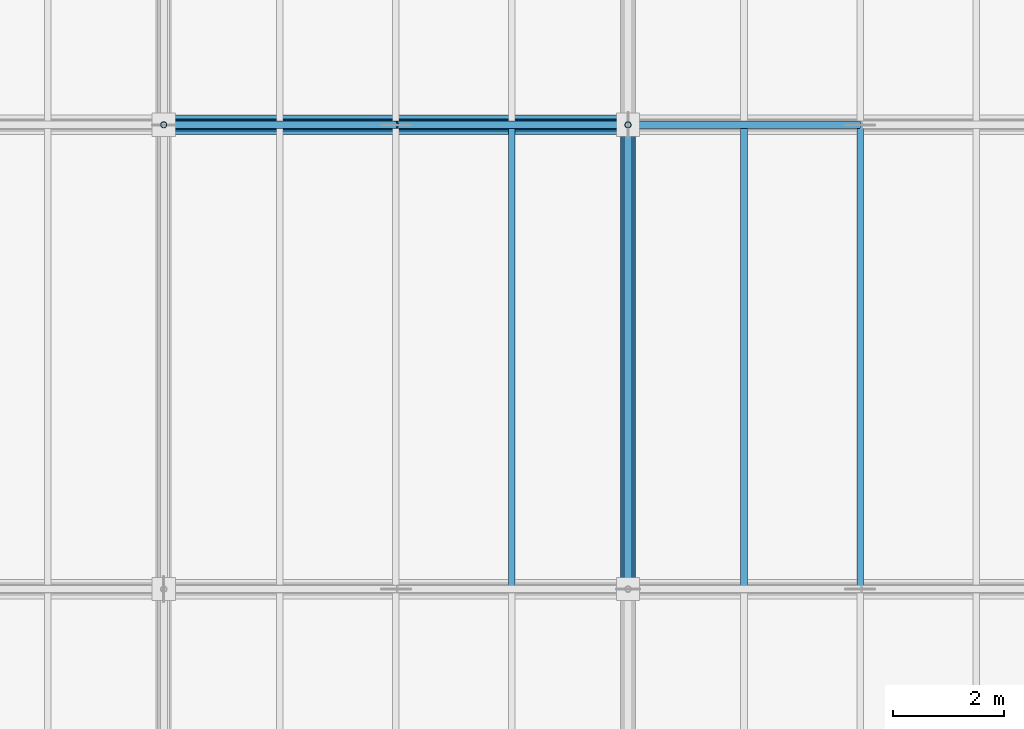
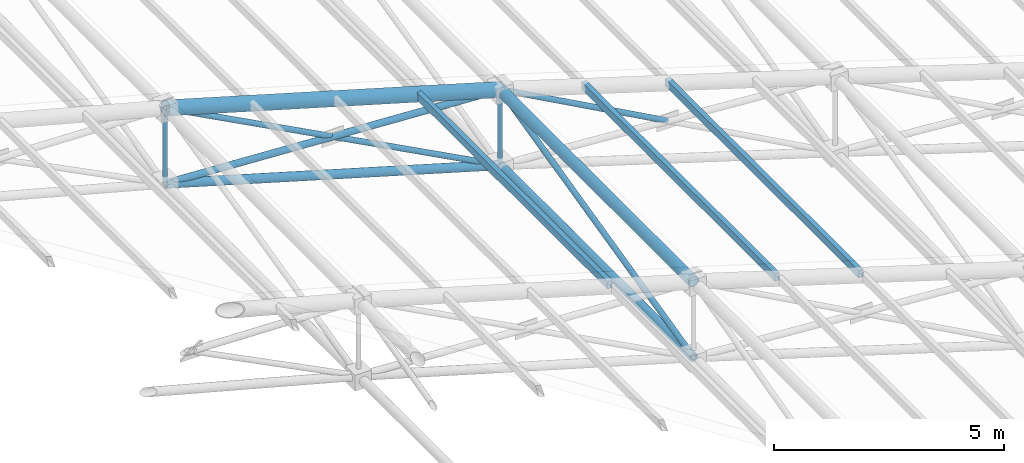
# One storey, part 51 of 144: 14 members.
"""IFC4 building model written with IfcOpenShell, lengths in metres."""

from ifc_helpers import new_model, si_unit, direction, frame, origin, origin_2d, place, context, subcontext, project, spatial, hollow_rectangle, hollow_circle, extrude, material, material_profile, profile_set, type_object, element, save


model = new_model("IFC4")

# Units and contexts
model_context = context("Model", 3, precision=1e-05, world=origin(), true_north=direction((0.0, 1.0)))
body_context = subcontext(model_context, "Body", "Model", "MODEL_VIEW")
ifc_project = project(units=[si_unit("LENGTHUNIT", "METRE"), si_unit("AREAUNIT", "SQUARE_METRE"), si_unit("VOLUMEUNIT", "CUBIC_METRE"), si_unit("PLANEANGLEUNIT", "RADIAN"), si_unit("MASSUNIT", "GRAM", prefix="KILO")], contexts=[model_context])

# Site, building, storey
site_placement = place(None, origin())
site = spatial("IfcSite", under=ifc_project, at=site_placement, CompositionType="ELEMENT")
building_placement = place(site_placement, origin())
building = spatial("IfcBuilding", under=site, at=building_placement, Name="Zayran Congress Hotel", CompositionType="ELEMENT")
storey_placement = place(building_placement, frame((0.0, 0.0, 19.199951171875)))
storey = spatial("IfcBuildingStorey", under=building, at=storey_placement, Name="L04", CompositionType="ELEMENT", Elevation=19.199951171875)

# Members
ifc_material = material(Name="Steel S355", Category="steel")
ifc_material_profile_1 = material_profile(ifc_material, hollow_circle(Radius=0.177734375, WallThickness=0.01611328125, at=origin_2d()), Name="CHS 355.6x16")
ifc_profile_set_1 = profile_set([ifc_material_profile_1], Name="Steel S355")
member_type_1 = type_object("IfcMemberType", Name="TP-SF-TC1", PredefinedType="CHORD", material=ifc_profile_set_1)
member_1_placement = place(storey_placement, frame((58.800048828125, 84.39990234375, 12.35205078125), z_axis=(0.960000625005, 0.0, -0.279997857116), x_axis=(0.0, 1.0, 0.0)))
element("IfcMember", 1, at=member_1_placement, inside=storey, type_object=member_type_1, Name="Space Frame Top Chord X 347", PredefinedType="CHORD", context=body_context, shape_type="SweptSolid", body=[
    extrude(hollow_circle(Radius=0.177734375, WallThickness=0.01611328125, at=origin_2d()), origin(), (0.0, 0.0, 1.0), 8.75),
])
ifc_material_profile_2 = material_profile(ifc_material, hollow_circle(Radius=0.136474609375, WallThickness=0.012451171875, at=origin_2d()), Name="CHS 273x12.5")
ifc_profile_set_2 = profile_set([ifc_material_profile_2], Name="Steel S355")
member_type_2 = type_object("IfcMemberType", Name="TP-SF-TC2", PredefinedType="CHORD", material=ifc_profile_set_2)
member_2_placement = place(storey_placement, frame((67.199951171875, 76.0, 9.902099609375), z_axis=(0.0, 1.0, 0.0), x_axis=(-1.0, 0.0, 0.0)))
element("IfcMember", 2, at=member_2_placement, inside=storey, type_object=member_type_2, Name="Space Frame Top Chord Y 396", PredefinedType="CHORD", context=body_context, shape_type="SweptSolid", body=[
    extrude(hollow_circle(Radius=0.136474609375, WallThickness=0.012451171875, at=origin_2d()), origin(), (0.0, 0.0, 1.0), 8.39990234375),
])
ifc_material_profile_3 = material_profile(ifc_material, hollow_circle(Radius=0.109619140625, WallThickness=0.010009765625, at=origin_2d()), Name="CHS 219.1x10")
ifc_profile_set_3 = profile_set([ifc_material_profile_3], Name="Steel S355")
member_type_3 = type_object("IfcMemberType", Name="TP-SF-BC1", PredefinedType="CHORD", material=ifc_profile_set_3)
member_3_placement = place(storey_placement, frame((58.800048828125, 84.39990234375, 10.35009765625), z_axis=(0.960000625005, 0.0, -0.279997857116), x_axis=(0.0, 1.0, 0.0)))
element("IfcMember", 3, at=member_3_placement, inside=storey, type_object=member_type_3, Name="Space Frame Bottom Chord X 348", PredefinedType="CHORD", context=body_context, shape_type="SweptSolid", body=[
    extrude(hollow_circle(Radius=0.109619140625, WallThickness=0.010009765625, at=origin_2d()), origin(), (0.0, 0.0, 1.0), 8.75),
])
member_4_placement = place(storey_placement, frame((67.199951171875, 76.0, 7.900146484375), z_axis=(0.0, 1.0, 0.0), x_axis=(-1.0, 0.0, 0.0)))
element("IfcMember", 4, at=member_4_placement, inside=storey, type_object=member_type_3, Name="Space Frame Bottom Chord Y 397", PredefinedType="CHORD", context=body_context, shape_type="SweptSolid", body=[
    extrude(hollow_circle(Radius=0.109619140625, WallThickness=0.010009765625, at=origin_2d()), origin(), (0.0, 0.0, 1.0), 8.39990234375),
])
ifc_material_profile_4 = material_profile(ifc_material, hollow_circle(Radius=0.084228515625, WallThickness=0.008056640625, at=origin_2d()), Name="CHS 168.3x8")
ifc_profile_set_4 = profile_set([ifc_material_profile_4], Name="Steel S355")
member_type_4 = type_object("IfcMemberType", Name="TP-SF-DG1", PredefinedType="BRACE", material=ifc_profile_set_4)
member_5_placement = place(storey_placement, frame((58.800048828125, 84.39990234375, 10.35009765625), z_axis=(0.998580784097, 0.0, -0.053258028798), x_axis=(0.0, 1.0, 0.0)))
element("IfcMember", 5, at=member_5_placement, inside=storey, type_object=member_type_4, Name="Space Frame Web Diagonal X 349", PredefinedType="BRACE", context=body_context, shape_type="SweptSolid", body=[
    extrude(hollow_circle(Radius=0.084228515625, WallThickness=0.008056640625, at=origin_2d()), origin(), (0.0, 0.0, 1.0), 8.411865234375),
])
ifc_material_profile_5 = material_profile(ifc_material, hollow_circle(Radius=0.06982421875, WallThickness=0.00634765625, at=origin_2d()), Name="CHS 139.7x6.3")
ifc_profile_set_5 = profile_set([ifc_material_profile_5], Name="Steel S355")
member_type_5 = type_object("IfcMemberType", Name="TP-SF-DG2", PredefinedType="BRACE", material=ifc_profile_set_5)
for number, where, z_axis, x_axis, name in (
    (6, (58.800048828125, 84.39990234375, 12.35205078125), (0.883572260403, 0.0, -0.468294843711), (0.0, 1.0, 0.0), "Space Frame Counter Diagonal X Upper 350"),
    (7, (63.01318359375, 84.39990234375, 10.119140625), (0.883572260403, 0.0, -0.468294843711), (0.0, 1.0, 0.0), "Space Frame Counter Diagonal X Lower 57"),
):
    element("IfcMember", number, at=place(storey_placement, frame(where, z_axis=z_axis, x_axis=x_axis)), inside=storey, type_object=member_type_5, Name=name, PredefinedType="BRACE", context=body_context, shape_type="SweptSolid", body=[
        extrude(hollow_circle(Radius=0.06982421875, WallThickness=0.00634765625, at=origin_2d()), origin(), (0.0, 0.0, 1.0), 4.738525390625),
    ])
member_6_placement = place(storey_placement, frame((67.199951171875, 76.0, 7.900146484375), z_axis=(0.0, 0.97275461998, 0.231837118056), x_axis=(-1.0, 0.0, 0.0)))
element("IfcMember", 8, at=member_6_placement, inside=storey, type_object=member_type_5, Name="Space Frame Web Diagonal Y 398", PredefinedType="BRACE", context=body_context, shape_type="SweptSolid", body=[
    extrude(hollow_circle(Radius=0.06982421875, WallThickness=0.00634765625, at=origin_2d()), origin(), (0.0, 0.0, 1.0), 8.63525390625),
])
member_7_placement = place(storey_placement, frame((67.199951171875, 84.39990234375, 9.902099609375), z_axis=(0.87699109083, 0.0, -0.480506635339), x_axis=(0.0, 1.0, 0.0)))
element("IfcMember", 9, at=member_7_placement, inside=storey, type_object=member_type_5, Name="Space Frame Counter Diagonal X Upper 403", PredefinedType="BRACE", context=body_context, shape_type="SweptSolid", body=[
    extrude(hollow_circle(Radius=0.06982421875, WallThickness=0.00634765625, at=origin_2d()), origin(), (0.0, 0.0, 1.0), 4.77392578125),
])
ifc_material_profile_6 = material_profile(ifc_material, hollow_circle(Radius=0.05712890625, WallThickness=0.00634765625, at=origin_2d()), Name="CHS 114.3x6.3")
ifc_profile_set_6 = profile_set([ifc_material_profile_6], Name="Steel S355")
member_type_6 = type_object("IfcMemberType", Name="TP-SF-DG3", PredefinedType="BRACE", material=ifc_profile_set_6)
for number, where, z_axis, x_axis, name in (
    (10, (58.800048828125, 84.39990234375, 10.35009765625), (0.0, 0.0, 1.0), (0.0, 1.0, 0.0), "Space Frame Web Strut 354"),
    (11, (67.199951171875, 84.39990234375, 7.900146484375), (0.0, 0.0, 1.0), (0.0, 1.0, 0.0), "Space Frame Web Strut 407"),
):
    element("IfcMember", number, at=place(storey_placement, frame(where, z_axis=z_axis, x_axis=x_axis)), inside=storey, type_object=member_type_6, Name=name, PredefinedType="BRACE", context=body_context, shape_type="SweptSolid", body=[
        extrude(hollow_circle(Radius=0.05712890625, WallThickness=0.00634765625, at=origin_2d()), origin(), (0.0, 0.0, 1.0), 2.001953125),
    ])
ifc_material_profile_7 = material_profile(ifc_material, hollow_rectangle(XDim=0.1201171875, YDim=0.199951171875, WallThickness=0.008056640625, at=origin_2d()), Name="RHS 200x120x8")
ifc_profile_set_7 = profile_set([ifc_material_profile_7], Name="Steel S355")
member_type_7 = type_object("IfcMemberType", Name="TP-PR-01", PredefinedType="PURLIN", material=ifc_profile_set_7)
for number, where, z_axis, x_axis, name in (
    (12, (65.10009765625, 76.0, 10.556640625), (0.0, 1.0, 0.0), (-1.0, 0.0, 0.0), "MEM-PR-V1-0122"),
    (13, (69.300048828125, 76.0, 9.2939453125), (0.0, 1.0, 0.0), (-1.0, 0.0, 0.0), "MEM-PR-V1-0128"),
    (14, (71.39990234375, 76.0, 8.64404296875), (0.0, 1.0, 0.0), (-1.0, 0.0, 0.0), "MEM-PR-V1-0134"),
):
    element("IfcMember", number, at=place(storey_placement, frame(where, z_axis=z_axis, x_axis=x_axis)), inside=storey, type_object=member_type_7, Name=name, PredefinedType="PURLIN", context=body_context, shape_type="SweptSolid", body=[
        extrude(hollow_rectangle(XDim=0.1201171875, YDim=0.199951171875, WallThickness=0.008056640625, at=origin_2d()), origin(), (0.0, 0.0, 1.0), 8.39990234375),
    ])

save(model, "model.ifc")
